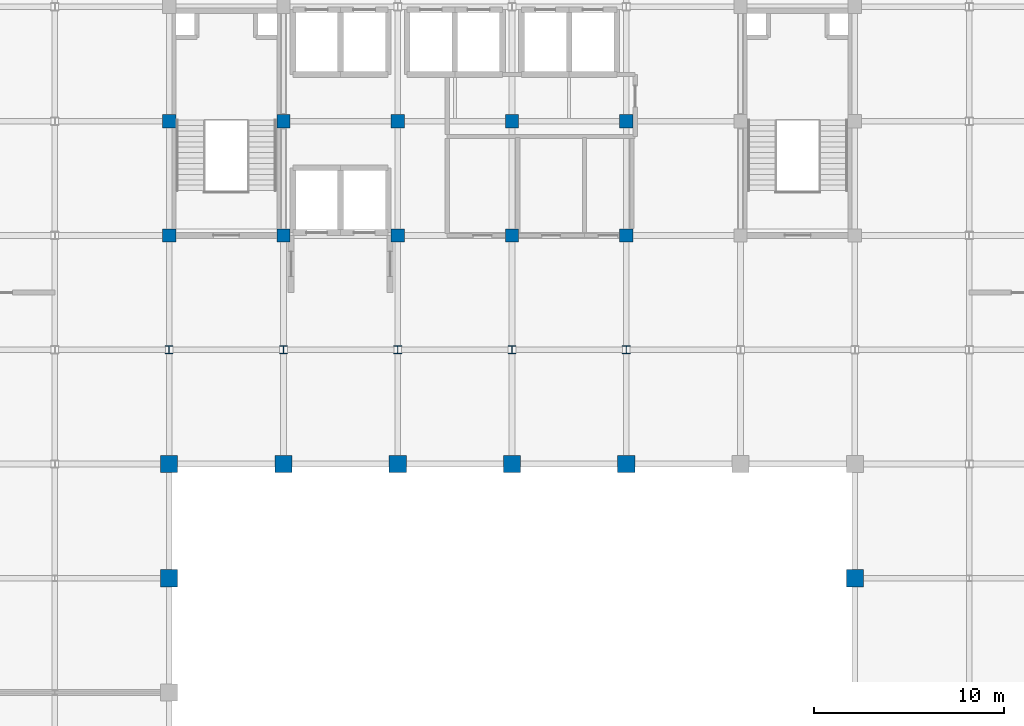
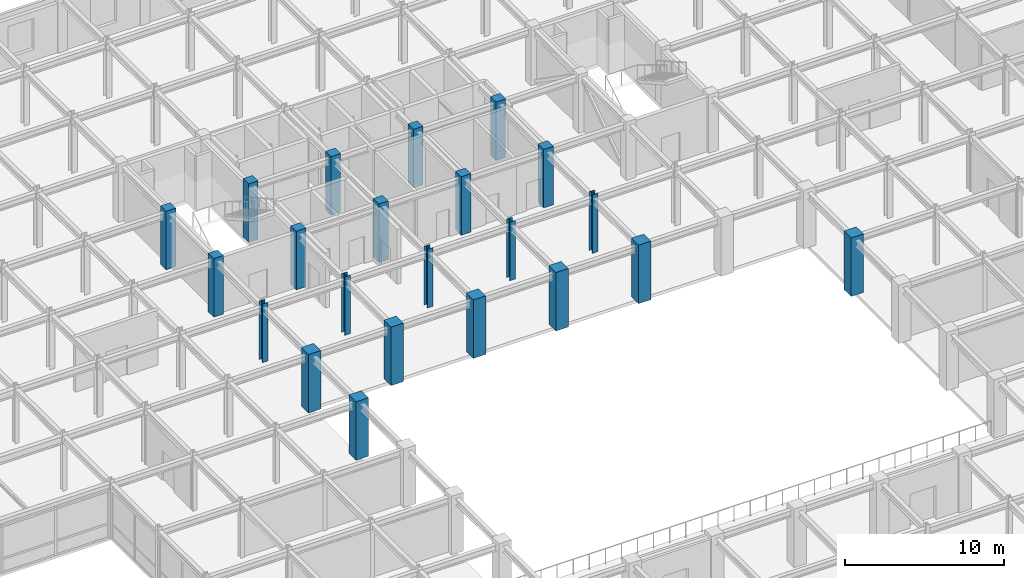
# One storey, part 14 of 108: 22 columns.
"""IFC4 building model written with IfcOpenShell, lengths in metres."""

from ifc_helpers import new_model, si_unit, direction, frame, origin, origin_2d, place, context, subcontext, project, spatial, rectangle, i_section, extrude, material, material_profile, profile_set, type_object, element, save


model = new_model("IFC4")

# Units and contexts
model_context = context("Model", 3, precision=1e-05, world=origin(), true_north=direction((0.0, 1.0)))
body_context = subcontext(model_context, "Body", "Model", "MODEL_VIEW")
ifc_project = project(units=[si_unit("LENGTHUNIT", "METRE"), si_unit("AREAUNIT", "SQUARE_METRE"), si_unit("VOLUMEUNIT", "CUBIC_METRE"), si_unit("PLANEANGLEUNIT", "RADIAN"), si_unit("MASSUNIT", "GRAM", prefix="KILO")], contexts=[model_context])

# Site, building, storey
site_placement = place(None, origin())
site = spatial("IfcSite", under=ifc_project, at=site_placement, CompositionType="ELEMENT")
building_placement = place(site_placement, origin())
building = spatial("IfcBuilding", under=site, at=building_placement, Name="Zlatovratsky Civic Hall", CompositionType="ELEMENT")
storey_placement = place(building_placement, frame((0.0, 0.0, 12.0)))
storey = spatial("IfcBuildingStorey", under=building, at=storey_placement, Name="L03", CompositionType="ELEMENT", Elevation=12.0)

# Columns
ifc_material_1 = material(Name="Concrete C35/45 (B40)", Category="concrete")
ifc_material_profile_1 = material_profile(ifc_material_1, rectangle(XDim=0.89990234375, YDim=0.89990234375, at=origin_2d()), Name="RC 900x900")
ifc_profile_set_1 = profile_set([ifc_material_profile_1], Name="Concrete C35/45 (B40)")
column_type_1 = type_object("IfcColumnType", Name="Col_ChamberPier_RC900", PredefinedType="COLUMN", material=ifc_profile_set_1)
for number, where, z_axis, x_axis, name in (
    (1, (66.0, 66.0, 0.0), (0.0, 0.0, 1.0), (1.0, 0.0, 0.0), "CL-1357"),
    (2, (102.0, 66.0, 0.0), (0.0, 0.0, 1.0), (1.0, 0.0, 0.0), "CL-1358"),
    (3, (66.0, 72.0, 0.0), (0.0, 0.0, 1.0), (1.0, 0.0, 0.0), "CL-1375"),
    (4, (72.0, 72.0, 0.0), (0.0, 0.0, 1.0), (1.0, 0.0, 0.0), "CL-1376"),
    (5, (78.0, 72.0, 0.0), (0.0, 0.0, 1.0), (1.0, 0.0, 0.0), "CL-1377"),
    (6, (84.0, 72.0, 0.0), (0.0, 0.0, 1.0), (1.0, 0.0, 0.0), "CL-1378"),
    (7, (90.0, 72.0, 0.0), (0.0, 0.0, 1.0), (1.0, 0.0, 0.0), "CL-1379"),
):
    element("IfcColumn", number, at=place(storey_placement, frame(where, z_axis=z_axis, x_axis=x_axis)), inside=storey, type_object=column_type_1, Name=name, PredefinedType="COLUMN", context=body_context, shape_type="SweptSolid", body=[
        extrude(rectangle(XDim=0.89990234375, YDim=0.89990234375, at=origin_2d()), origin(), (0.0, 0.0, 1.0), 4.5),
    ])
ifc_material_profile_2 = material_profile(ifc_material_1, rectangle(XDim=0.699951171875, YDim=0.699951171875, at=origin_2d()), Name="RC 700x700")
ifc_profile_set_2 = profile_set([ifc_material_profile_2], Name="Concrete C35/45 (B40)")
column_type_2 = type_object("IfcColumnType", Name="Col_CorePier_RC700", PredefinedType="COLUMN", material=ifc_profile_set_2)
for number, where, z_axis, x_axis, name in (
    (8, (66.0, 84.0, 0.0), (0.0, 0.0, 1.0), (1.0, 0.0, 0.0), "CL-1421"),
    (9, (72.0, 84.0, 0.0), (0.0, 0.0, 1.0), (1.0, 0.0, 0.0), "CL-1422"),
    (10, (78.0, 84.0, 0.0), (0.0, 0.0, 1.0), (1.0, 0.0, 0.0), "CL-1423"),
    (11, (84.0, 84.0, 0.0), (0.0, 0.0, 1.0), (1.0, 0.0, 0.0), "CL-1424"),
    (12, (90.0, 84.0, 0.0), (0.0, 0.0, 1.0), (1.0, 0.0, 0.0), "CL-1425"),
    (13, (66.0, 90.0, 0.0), (0.0, 0.0, 1.0), (1.0, 0.0, 0.0), "CL-1444"),
    (14, (72.0, 90.0, 0.0), (0.0, 0.0, 1.0), (1.0, 0.0, 0.0), "CL-1445"),
    (15, (78.0, 90.0, 0.0), (0.0, 0.0, 1.0), (1.0, 0.0, 0.0), "CL-1446"),
    (16, (84.0, 90.0, 0.0), (0.0, 0.0, 1.0), (1.0, 0.0, 0.0), "CL-1447"),
    (17, (90.0, 90.0, 0.0), (0.0, 0.0, 1.0), (1.0, 0.0, 0.0), "CL-1448"),
):
    element("IfcColumn", number, at=place(storey_placement, frame(where, z_axis=z_axis, x_axis=x_axis)), inside=storey, type_object=column_type_2, Name=name, PredefinedType="COLUMN", context=body_context, shape_type="SweptSolid", body=[
        extrude(rectangle(XDim=0.699951171875, YDim=0.699951171875, at=origin_2d()), origin(), (0.0, 0.0, 1.0), 4.5),
    ])
ifc_material_2 = material(Name="Steel S355", Category="steel")
ifc_material_profile_3 = material_profile(ifc_material_2, i_section(OverallWidth=0.405029296875, OverallDepth=0.41796875, WebThickness=0.02001953125, FlangeThickness=0.030029296875, FilletRadius=0.02197265625, at=origin_2d()), Name="40K4")
ifc_profile_set_3 = profile_set([ifc_material_profile_3], Name="Steel S355")
column_type_3 = type_object("IfcColumnType", Name="Col_Steel_40K4", PredefinedType="COLUMN", material=ifc_profile_set_3)
for number, where, z_axis, x_axis, name in (
    (18, (66.0, 78.0, 0.0), (0.0, 0.0, 1.0), (1.0, 0.0, 0.0), "CL-1398"),
    (19, (72.0, 78.0, 0.0), (0.0, 0.0, 1.0), (1.0, 0.0, 0.0), "CL-1399"),
    (20, (78.0, 78.0, 0.0), (0.0, 0.0, 1.0), (1.0, 0.0, 0.0), "CL-1400"),
    (21, (84.0, 78.0, 0.0), (0.0, 0.0, 1.0), (1.0, 0.0, 0.0), "CL-1401"),
    (22, (90.0, 78.0, 0.0), (0.0, 0.0, 1.0), (1.0, 0.0, 0.0), "CL-1402"),
):
    element("IfcColumn", number, at=place(storey_placement, frame(where, z_axis=z_axis, x_axis=x_axis)), inside=storey, type_object=column_type_3, Name=name, PredefinedType="COLUMN", context=body_context, shape_type="SweptSolid", body=[
        extrude(i_section(OverallWidth=0.405029296875, OverallDepth=0.41796875, WebThickness=0.02001953125, FlangeThickness=0.030029296875, FilletRadius=0.02197265625, at=origin_2d()), origin(), (0.0, 0.0, 1.0), 4.5),
    ])

save(model, "model.ifc")
